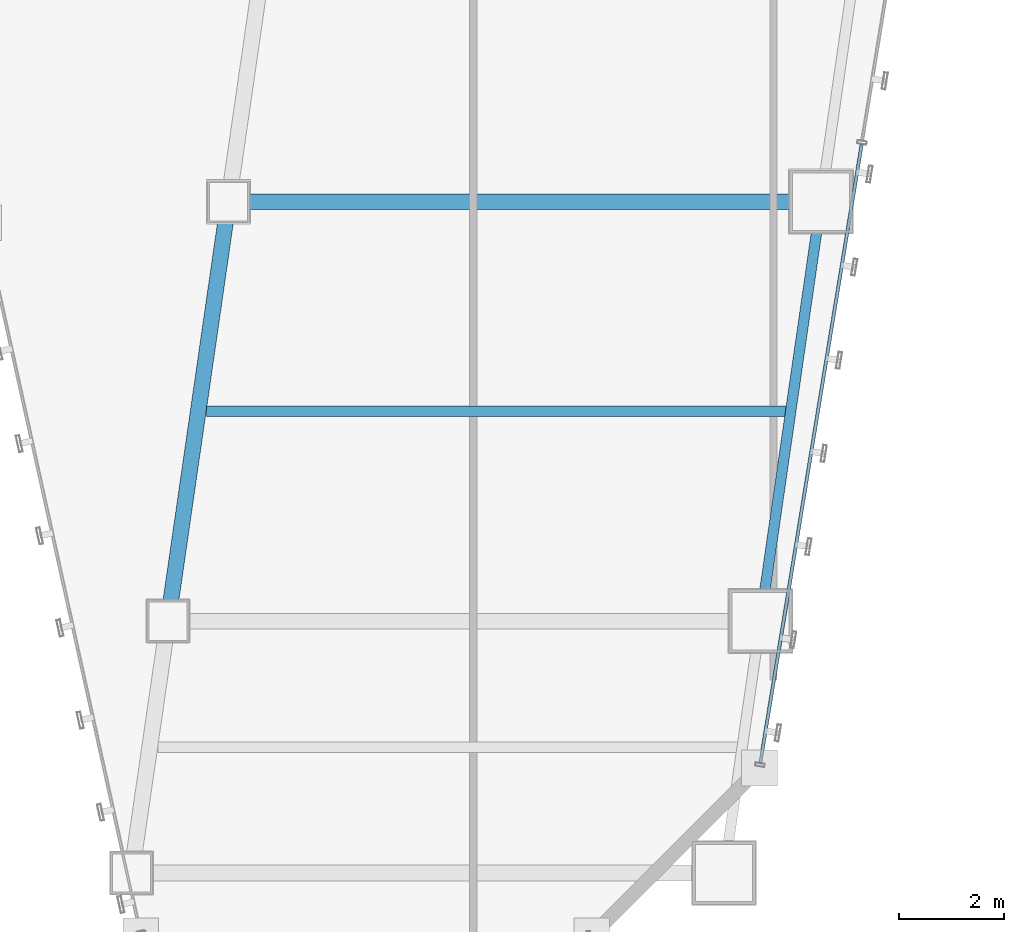
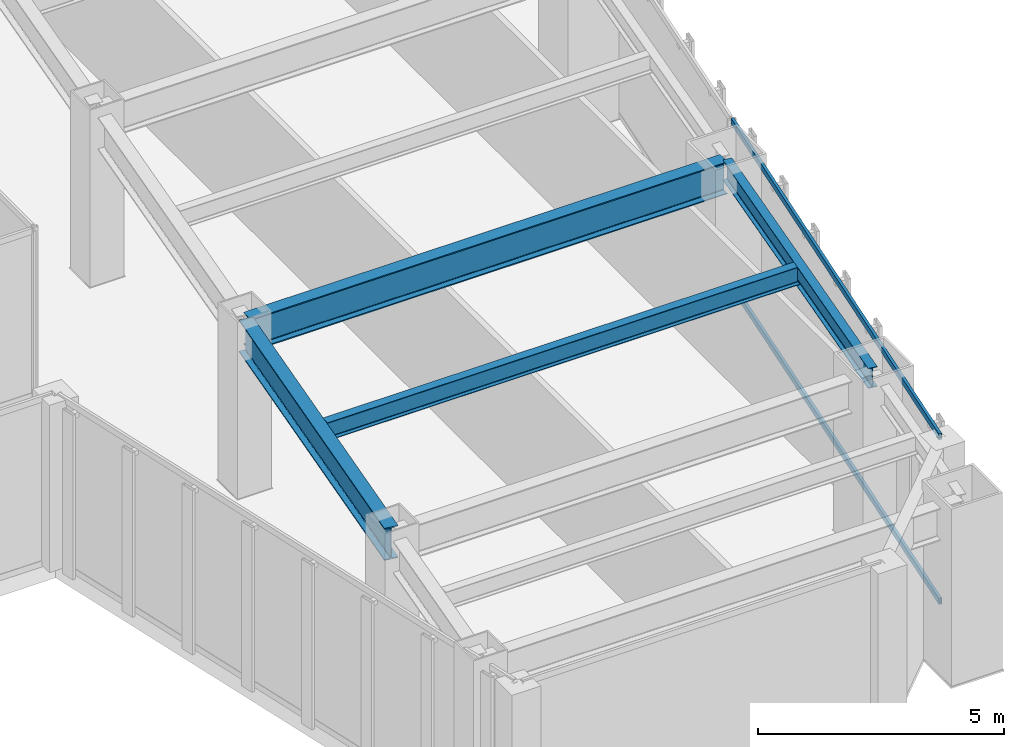
# One storey, part 16 of 49: 4 beams, 2 members, 1 element without a shape of its own.
"""IFC4 building model written with IfcOpenShell, lengths in metres."""

from ifc_helpers import new_model, si_unit, direction, frame, origin, origin_2d, place, context, subcontext, project, spatial, hollow_rectangle, i_section, extrude, material, material_profile, profile_set, type_object, element, aggregate, save


model = new_model("IFC4")

# Units and contexts
model_context = context("Model", 3, precision=1e-05, world=origin(), true_north=direction((0.0, 1.0)))
body_context = subcontext(model_context, "Body", "Model", "MODEL_VIEW")
ifc_project = project(units=[si_unit("LENGTHUNIT", "METRE"), si_unit("AREAUNIT", "SQUARE_METRE"), si_unit("VOLUMEUNIT", "CUBIC_METRE"), si_unit("PLANEANGLEUNIT", "RADIAN"), si_unit("MASSUNIT", "GRAM", prefix="KILO")], contexts=[model_context])

# Site, building, storey
site_placement = place(None, origin())
site = spatial("IfcSite", under=ifc_project, at=site_placement, CompositionType="ELEMENT")
building_placement = place(site_placement, origin())
building = spatial("IfcBuilding", under=site, at=building_placement, Name="Saevonmaru Cultural Tower", CompositionType="ELEMENT")
storey_placement = place(building_placement, frame((0.0, 0.0, 38.39990234375)))
storey = spatial("IfcBuildingStorey", under=building, at=storey_placement, Name="L07", CompositionType="ELEMENT", Elevation=38.39990234375)

# Beams
ifc_material_1 = material(Name="Steel SM420", Category="steel")
ifc_material_profile_1 = material_profile(ifc_material_1, i_section(OverallWidth=0.300048828125, OverallDepth=0.800048828125, WebThickness=0.013916015625, FlangeThickness=0.02587890625, FilletRadius=0.028076171875, at=origin_2d()), Name="H-800x300x14x26")
ifc_profile_set_1 = profile_set([ifc_material_profile_1], Name="Steel SM420")
beam_type_1 = type_object("IfcBeamType", Name="BM-G-H800", PredefinedType="BEAM", material=ifc_profile_set_1)
beam_1_placement = place(storey_placement, frame((36.925537109375, 8.059326171875, 3.75), z_axis=(0.142902032203, 0.989736838353, 0.0), x_axis=(-0.989736838353, 0.142902032203, 0.0)))
element("IfcBeam", 1, at=beam_1_placement, inside=storey, type_object=beam_type_1, Name="L07 East Atrium Girder 2", PredefinedType="BEAM", context=body_context, shape_type="SweptSolid", body=[
    extrude(i_section(OverallWidth=0.300048828125, OverallDepth=0.800048828125, WebThickness=0.013916015625, FlangeThickness=0.02587890625, FilletRadius=0.028076171875, at=origin_2d()), origin(), (0.0, 0.0, 1.0), 7.963134765625),
])
beam_2_placement = place(storey_placement, frame((38.132080078125, 16.0, 3.75), z_axis=(1.0, 0.0, 0.0), x_axis=(0.0, 1.0, 0.0)))
element("IfcBeam", 2, at=beam_2_placement, inside=storey, type_object=beam_type_1, Name="L07 East Wing Transverse Girder 3", PredefinedType="BEAM", context=body_context, shape_type="SweptSolid", body=[
    extrude(i_section(OverallWidth=0.300048828125, OverallDepth=0.800048828125, WebThickness=0.013916015625, FlangeThickness=0.02587890625, FilletRadius=0.028076171875, at=origin_2d()), origin(), (0.0, 0.0, 1.0), 11.179931640625),
])
ifc_material_2 = material(Name="Steel SM355", Category="steel")
ifc_material_profile_2 = material_profile(ifc_material_2, i_section(OverallWidth=0.199951171875, OverallDepth=0.449951171875, WebThickness=0.009033203125, FlangeThickness=0.013916015625, FilletRadius=0.01806640625, at=origin_2d()), Name="H-450x200x9x14")
ifc_profile_set_2 = profile_set([ifc_material_profile_2], Name="Steel SM355")
beam_type_2 = type_object("IfcBeamType", Name="BM-J-H450", PredefinedType="JOIST", material=ifc_profile_set_2)
beam_3_placement = place(storey_placement, frame((37.652587890625, 12.0, 3.925048828125), z_axis=(1.0, 0.0, 0.0), x_axis=(0.0, 1.0, 0.0)))
element("IfcBeam", 3, at=beam_3_placement, inside=storey, type_object=beam_type_2, Name="L07 East Wing Floor Joist 2", PredefinedType="JOIST", context=body_context, shape_type="SweptSolid", body=[
    extrude(i_section(OverallWidth=0.199951171875, OverallDepth=0.449951171875, WebThickness=0.009033203125, FlangeThickness=0.013916015625, FilletRadius=0.01806640625, at=origin_2d()), origin(), (0.0, 0.0, 1.0), 11.08203125),
])
ifc_material_profile_3 = material_profile(ifc_material_2, i_section(OverallWidth=0.199951171875, OverallDepth=0.5, WebThickness=0.010009765625, FlangeThickness=0.01611328125, FilletRadius=0.02001953125, at=origin_2d()), Name="H-500x200x10x16")
ifc_profile_set_3 = profile_set([ifc_material_profile_3], Name="Steel SM355")
beam_type_3 = type_object("IfcBeamType", Name="BM-SP-H500", PredefinedType="SPANDREL", material=ifc_profile_set_3)
beam_4_placement = place(storey_placement, frame((48.2255859375, 8.059326171875, 3.900146484375), z_axis=(0.142871999001, 0.989741174197, 0.0), x_axis=(-0.989741174197, 0.142871999001, 0.0)))
element("IfcBeam", 4, at=beam_4_placement, inside=storey, type_object=beam_type_3, Name="L07 East Splayed Spandrel 2", PredefinedType="SPANDREL", context=body_context, shape_type="SweptSolid", body=[
    extrude(i_section(OverallWidth=0.199951171875, OverallDepth=0.5, WebThickness=0.010009765625, FlangeThickness=0.01611328125, FilletRadius=0.02001953125, at=origin_2d()), origin(), (0.0, 0.0, 1.0), 7.963134765625),
])

# Curtain wall, members
ifc_material_3 = material(Name="Satin Bronze Anodised Aluminium", Category="aluminium")
curtain_wall_type = type_object("IfcCurtainWallType", Name="CW-TYP-A", PredefinedType="NOTDEFINED", material=ifc_material_3)
curtain_wall_placement = place(storey_placement, origin())
curtain_wall = element("IfcCurtainWall", 5, at=curtain_wall_placement, inside=storey, type_object=curtain_wall_type, Name="L07 Unitised Curtain Wall E8", PredefinedType="NOTDEFINED")
ifc_material_profile_4 = material_profile(ifc_material_3, hollow_rectangle(XDim=0.06494140625, YDim=0.14990234375, WallThickness=0.00390625, at=origin_2d()), Name="ALU-TRAN-150x65x4")
ifc_profile_set_4 = profile_set([ifc_material_profile_4], Name="Satin Bronze Anodised Aluminium")
member_type = type_object("IfcMemberType", Name="TR-CW-150x65", PredefinedType="USERDEFINED", material=ifc_profile_set_4)
member_1_placement = place(storey_placement, frame((48.21484375, 5.291259765625, 0.03271484375), z_axis=(0.161724530373, 0.986835941925, 0.0), x_axis=(-0.986835941925, 0.161724530373, 0.0)))
member_1 = element("IfcMember", 6, at=member_1_placement, type_object=member_type, Name="CW-TW-L07-E8 transom 1.1", ObjectType="TRANSOM", PredefinedType="USERDEFINED", context=body_context, shape_type="SweptSolid", body=[
    extrude(hollow_rectangle(XDim=0.06494140625, YDim=0.14990234375, WallThickness=0.00390625, at=origin_2d()), origin(), (0.0, 0.0, 1.0), 11.963623046875),
])
member_2_placement = place(storey_placement, frame((48.21484375, 5.291259765625, 4.11767578125), z_axis=(0.161724530373, 0.986835941925, 0.0), x_axis=(-0.986835941925, 0.161724530373, 0.0)))
member_2 = element("IfcMember", 7, at=member_2_placement, type_object=member_type, Name="CW-TW-L07-E8 transom 1.2", ObjectType="TRANSOM", PredefinedType="USERDEFINED", context=body_context, shape_type="SweptSolid", body=[
    extrude(hollow_rectangle(XDim=0.06494140625, YDim=0.14990234375, WallThickness=0.00390625, at=origin_2d()), origin(), (0.0, 0.0, 1.0), 11.963623046875),
])
aggregate(curtain_wall, [member_1, member_2])

save(model, "model.ifc")
